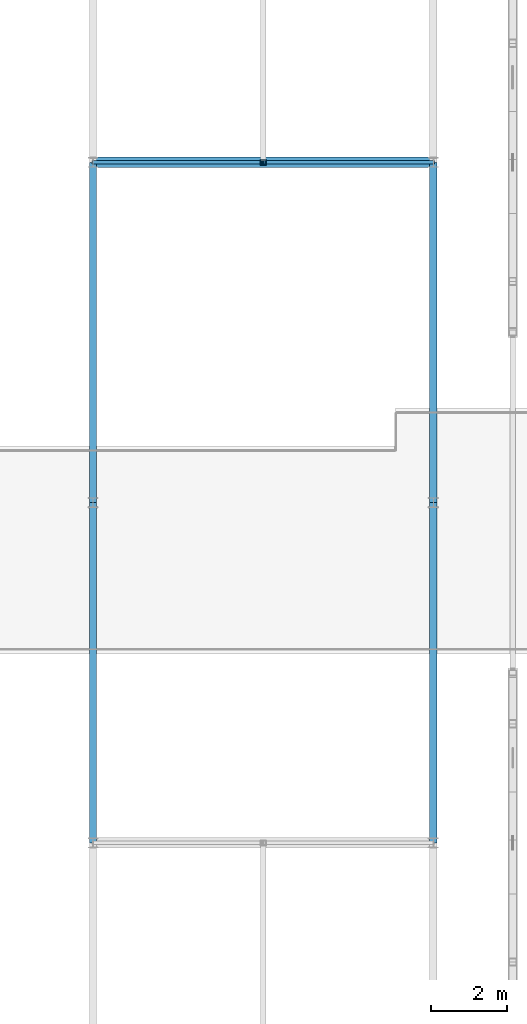
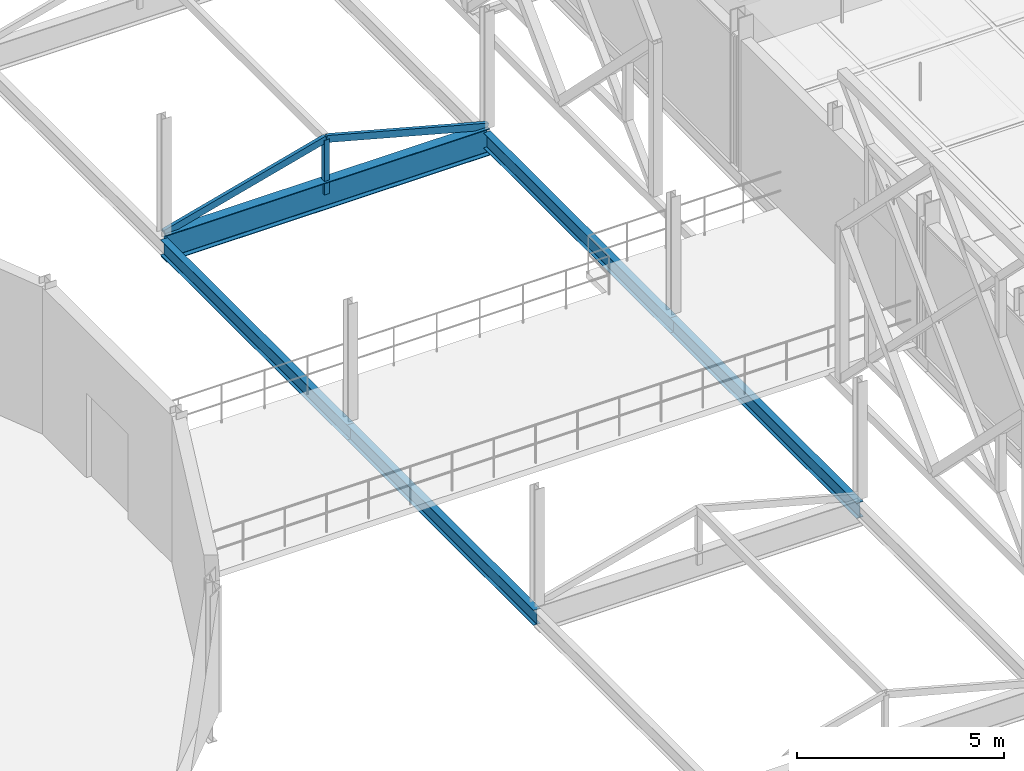
# One storey, part 22 of 140: 5 beams, 3 members.
"""IFC4 building model written with IfcOpenShell, lengths in metres."""

from ifc_helpers import new_model, si_unit, direction, frame, origin, origin_2d, place, context, subcontext, project, spatial, hollow_rectangle, i_section, extrude, material, material_profile, profile_set, type_object, element, save


model = new_model("IFC4")

# Units and contexts
model_context = context("Model", 3, precision=1e-05, world=origin(), true_north=direction((0.0, 1.0)))
body_context = subcontext(model_context, "Body", "Model", "MODEL_VIEW")
ifc_project = project(units=[si_unit("LENGTHUNIT", "METRE"), si_unit("AREAUNIT", "SQUARE_METRE"), si_unit("VOLUMEUNIT", "CUBIC_METRE"), si_unit("PLANEANGLEUNIT", "RADIAN"), si_unit("MASSUNIT", "GRAM", prefix="KILO"), si_unit("THERMODYNAMICTEMPERATUREUNIT", "KELVIN"), si_unit("POWERUNIT", "WATT")], contexts=[model_context])

# Site, building, storey
site_placement = place(None, origin())
site = spatial("IfcSite", under=ifc_project, at=site_placement, CompositionType="ELEMENT")
building_placement = place(site_placement, origin())
building = spatial("IfcBuilding", under=site, at=building_placement, Name="Tallowbark Science Centre", CompositionType="ELEMENT")
storey_placement = place(building_placement, frame((0.0, 0.0, 9.89990234375)))
storey = spatial("IfcBuildingStorey", under=building, at=storey_placement, Name="L02", CompositionType="ELEMENT", Elevation=9.89990234375)

# Beam
ifc_material_1 = material(Name="Structural Steel Grade 300PLUS (300 MPa)", Category="steel")
ifc_material_profile_1 = material_profile(ifc_material_1, i_section(OverallWidth=0.27490234375, OverallDepth=0.7919921875, WebThickness=0.011962890625, FlangeThickness=0.02001953125, FilletRadius=0.013916015625, at=origin_2d()), Name="800WB146")
ifc_profile_set_1 = profile_set([ifc_material_profile_1], Name="Structural Steel Grade 300PLUS (300 MPa)")
beam_type_1 = type_object("IfcBeamType", Name="BM-WB800", PredefinedType="BEAM", material=ifc_profile_set_1)
beam_placement = place(storey_placement, frame((45.0, 27.0, -0.39990234375), z_axis=(1.0, 0.0, 0.0), x_axis=(0.0, 1.0, 0.0)))
element("IfcBeam", 1, at=beam_placement, inside=storey, type_object=beam_type_1, Name="Passage Skylight Tie Beam 4", PredefinedType="BEAM", context=body_context, shape_type="SweptSolid", body=[
    extrude(i_section(OverallWidth=0.27490234375, OverallDepth=0.7919921875, WebThickness=0.011962890625, FlangeThickness=0.02001953125, FilletRadius=0.013916015625, at=origin_2d()), origin(), (0.0, 0.0, 1.0), 9.0),
])

# Members
ifc_material_2 = material(Name="Structural Steel Grade C350L0 (350 MPa)", Category="steel")
ifc_material_profile_2 = material_profile(ifc_material_2, hollow_rectangle(XDim=0.10009765625, YDim=0.199951171875, WallThickness=0.006103515625, at=origin_2d()), Name="200x100x6.0RHS")
ifc_profile_set_2 = profile_set([ifc_material_profile_2], Name="Structural Steel Grade C350L0 (350 MPa)")
member_type_1 = type_object("IfcMemberType", Name="RFT-200RHS", PredefinedType="RAFTER", material=ifc_profile_set_2)
for number, where, z_axis, x_axis, name in (
    (2, (45.0, 27.0, 0.0), (0.965923723713, 0.0, 0.258826891896), (0.0, 1.0, 0.0), "Passage Skylight West Rafter 4"),
    (3, (49.5, 27.0, 1.205810546875), (0.965923723713, 0.0, -0.258826891896), (0.0, 1.0, 0.0), "Passage Skylight East Rafter 4"),
):
    element("IfcMember", number, at=place(storey_placement, frame(where, z_axis=z_axis, x_axis=x_axis)), inside=storey, type_object=member_type_1, Name=name, PredefinedType="RAFTER", context=body_context, shape_type="SweptSolid", body=[
        extrude(hollow_rectangle(XDim=0.10009765625, YDim=0.199951171875, WallThickness=0.006103515625, at=origin_2d()), origin(), (0.0, 0.0, 1.0), 4.65869140625),
    ])

# Beams
ifc_material_profile_3 = material_profile(ifc_material_1, i_section(OverallWidth=0.18994140625, OverallDepth=0.453857421875, WebThickness=0.008544921875, FlangeThickness=0.0126953125, FilletRadius=0.011474609375, at=origin_2d()), Name="460UB67.1")
ifc_profile_set_3 = profile_set([ifc_material_profile_3], Name="Structural Steel Grade 300PLUS (300 MPa)")
beam_type_2 = type_object("IfcBeamType", Name="SPN-UB460", PredefinedType="SPANDREL", material=ifc_profile_set_3)
for number, where, z_axis, x_axis, name in (
    (4, (45.0, 9.0, -0.40673828125), (0.0, 1.0, 0.0), (-1.0, 0.0, 0.0), "Primary Girder GRDY-L02-450-90-180"),
    (5, (45.0, 18.0, -0.40673828125), (0.0, 1.0, 0.0), (-1.0, 0.0, 0.0), "Primary Girder GRDY-L02-450-180-270"),
    (6, (54.0, 9.0, -0.40673828125), (0.0, 1.0, 0.0), (-1.0, 0.0, 0.0), "Primary Girder GRDY-L02-540-90-180"),
    (7, (54.0, 18.0, -0.40673828125), (0.0, 1.0, 0.0), (-1.0, 0.0, 0.0), "Primary Girder GRDY-L02-540-180-270"),
):
    element("IfcBeam", number, at=place(storey_placement, frame(where, z_axis=z_axis, x_axis=x_axis)), inside=storey, type_object=beam_type_2, Name=name, PredefinedType="SPANDREL", context=body_context, shape_type="SweptSolid", body=[
        extrude(i_section(OverallWidth=0.18994140625, OverallDepth=0.453857421875, WebThickness=0.008544921875, FlangeThickness=0.0126953125, FilletRadius=0.011474609375, at=origin_2d()), origin(), (0.0, 0.0, 1.0), 9.0),
    ])

# Member
ifc_material_profile_4 = material_profile(ifc_material_2, hollow_rectangle(XDim=0.14990234375, YDim=0.14990234375, WallThickness=0.006103515625, at=origin_2d()), Name="150x150x6.0SHS")
ifc_profile_set_4 = profile_set([ifc_material_profile_4], Name="Structural Steel Grade C350L0 (350 MPa)")
member_type_2 = type_object("IfcMemberType", Name="STR-PAS-KP", PredefinedType="POST", material=ifc_profile_set_4)
member_placement = place(storey_placement, frame((49.5, 27.0, -0.39990234375), z_axis=(0.0, 0.0, 1.0), x_axis=(1.0, 0.0, 0.0)))
element("IfcMember", 8, at=member_placement, inside=storey, type_object=member_type_2, Name="Passage Skylight Truss King Post 4", PredefinedType="POST", context=body_context, shape_type="SweptSolid", body=[
    extrude(hollow_rectangle(XDim=0.14990234375, YDim=0.14990234375, WallThickness=0.006103515625, at=origin_2d()), origin(), (0.0, 0.0, 1.0), 1.605712890625),
])

save(model, "model.ifc")
